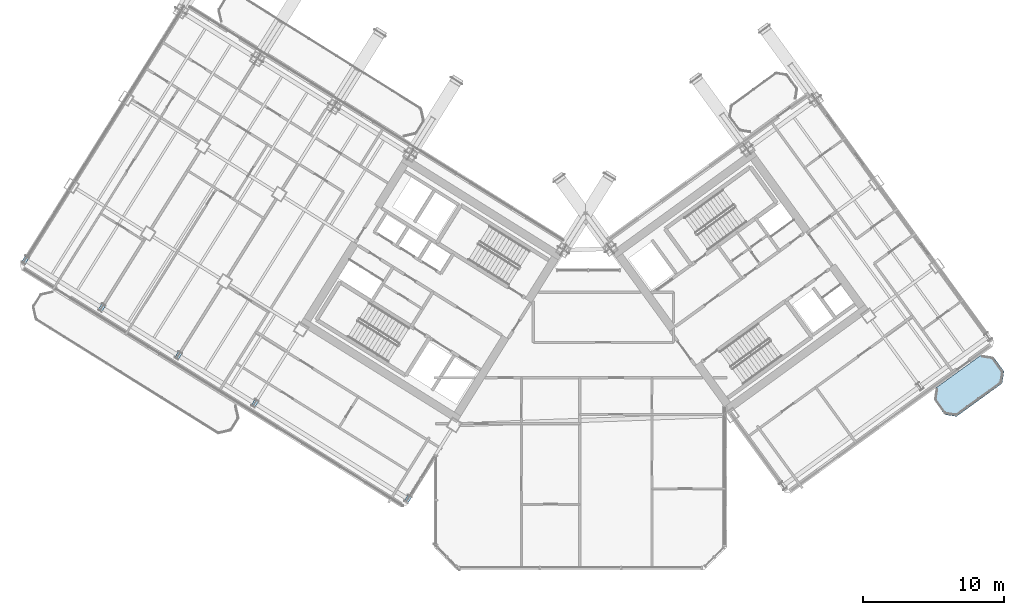
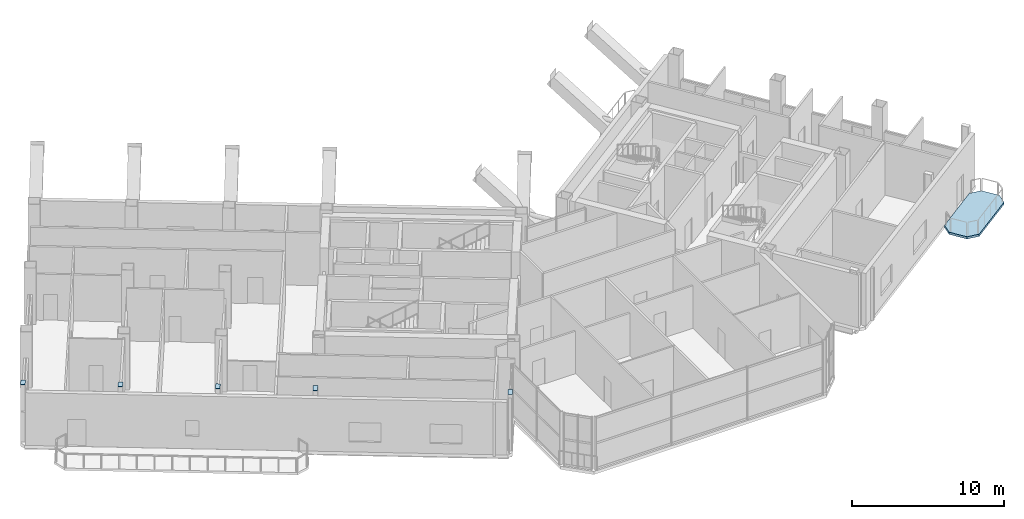
# One storey, part 17 of 34: 5 plates, 1 slab.
"""IFC4 building model written with IfcOpenShell, lengths in metres."""

from ifc_helpers import new_model, si_unit, direction, frame, origin, origin_2d, place, context, subcontext, project, spatial, polyline, rectangle, outline, extrude, source, transform, mapped, material, layer, layer_set, type_object, element, save


model = new_model("IFC4")

# Units and contexts
model_context = context("Model", 3, precision=1e-05, world=origin(), true_north=direction((0.0, 1.0)))
body_context = subcontext(model_context, "Body", "Model", "MODEL_VIEW")
ifc_project = project(units=[si_unit("LENGTHUNIT", "METRE"), si_unit("AREAUNIT", "SQUARE_METRE"), si_unit("VOLUMEUNIT", "CUBIC_METRE"), si_unit("PLANEANGLEUNIT", "RADIAN"), si_unit("MASSUNIT", "GRAM", prefix="KILO")], contexts=[model_context])

# Site, building, storey
site_placement = place(None, origin())
site = spatial("IfcSite", under=ifc_project, at=site_placement, CompositionType="ELEMENT")
building_placement = place(site_placement, origin())
building = spatial("IfcBuilding", under=site, at=building_placement, Name="Tlacorven Tower", CompositionType="ELEMENT")
storey_placement = place(building_placement, frame((0.0, 0.0, 174.89990234375)))
storey = spatial("IfcBuildingStorey", under=building, at=storey_placement, Name="L44", CompositionType="ELEMENT", Elevation=174.89990234375)

# Slab
ifc_material_1 = material(Name="Precast concrete C45/55", Category="concrete")
ifc_layer_1 = layer(ifc_material_1, 0.179931640625)
ifc_layer_set_1 = layer_set([ifc_layer_1], Name="Precast concrete C45/55")
slab_type = type_object("IfcSlabType", Name="SL-BAL-180", PredefinedType="USERDEFINED", material=ifc_layer_set_1)
slab_placement = place(storey_placement, frame((0.0, 0.0, -0.179931640625)))
element("IfcSlab", 1, at=slab_placement, inside=storey, type_object=slab_type, Name="L44 East Wing Balcony Ribbon OUT", ObjectType="BALCONY SLAB", PredefinedType="USERDEFINED", context=body_context, shape_type="SweptSolid", body=[
    extrude(outline(polyline([(68.669921875, 12.678955078125), (71.906005859375, 15.0302734375), (72.03857421875, 15.8681640625), (71.27734375, 16.916015625), (70.439453125, 17.048583984375), (67.203369140625, 14.697509765625), (67.070556640625, 13.859375), (67.831787109375, 12.811767578125), (68.669921875, 12.678955078125)])), origin(), (0.0, 0.0, 1.0), 0.179931640625),
])

# Plates
ifc_material_2 = material(Name="Steel S460M", Category="steel")
ifc_layer_2 = layer(ifc_material_2, 0.02392578125)
ifc_layer_set_2 = layer_set([ifc_layer_2], Name="Steel S460M")
plate_type = type_object("IfcPlateType", Name="PL-CAP-END1", PredefinedType="USERDEFINED", material=ifc_layer_set_2)
shared_shape = source(origin(), body_context, "Body", "SweptSolid", [
    extrude(rectangle(XDim=0.300048828125, YDim=0.550048828125, at=origin_2d()), origin(), (0.0, 0.0, 1.0), 0.02392578125),
])
for number, where, z_axis, x_axis, name in (
    (2, (29.7607421875, 6.8291015625, 4.498046875), (0.0, 0.0, 1.0), (-0.848048096156, 0.529919264233, 0.0), "L44 Hollow Column Top Cap Plate COL-L44-W1-4"),
    (3, (18.905517578125, 13.612060546875, 4.498046875), (0.0, 0.0, 1.0), (-0.848048096156, 0.529919264233, 0.0), "L44 Hollow Column Top Cap Plate COL-L44-W3-4"),
    (4, (13.47802734375, 17.00341796875, 4.498046875), (0.0, 0.0, 1.0), (-0.848048096156, 0.529919264233, 0.0), "L44 Hollow Column Top Cap Plate COL-L44-W4-4"),
    (5, (8.050537109375, 20.39501953125, 4.498046875), (0.0, 0.0, 1.0), (-0.848048096156, 0.529919264233, 0.0), "L44 Hollow Column Top Cap Plate COL-L44-W5-4"),
    (6, (2.623046875, 23.786376953125, 4.498046875), (0.0, 0.0, 1.0), (-0.848048096156, 0.529919264233, 0.0), "L44 Hollow Column Top Cap Plate COL-L44-W6-4"),
):
    element("IfcPlate", number, at=place(storey_placement, frame(where, z_axis=z_axis, x_axis=x_axis)), inside=storey, type_object=plate_type, Name=name, ObjectType="END PLATE", PredefinedType="USERDEFINED", context=body_context, shape_type="MappedRepresentation", body=[
        mapped(shared_shape, transform((0.0, 0.0, 0.0), scale=1.0)),
    ])

save(model, "model.ifc")
